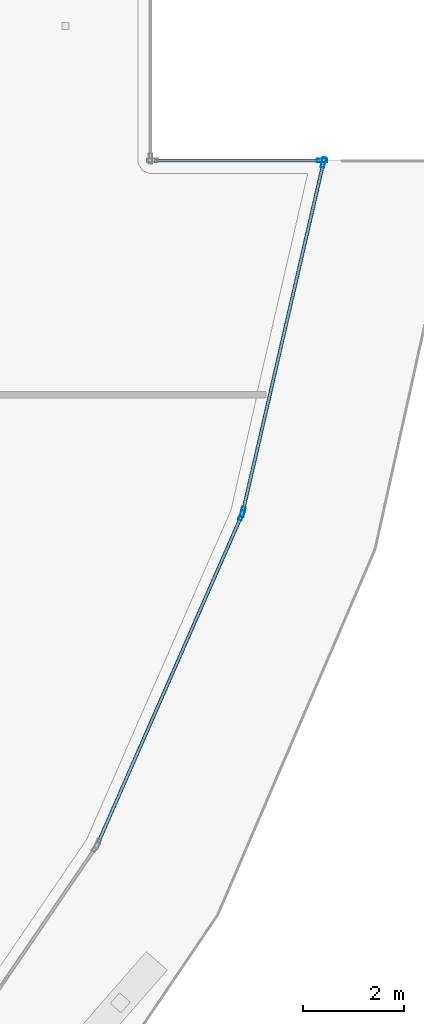
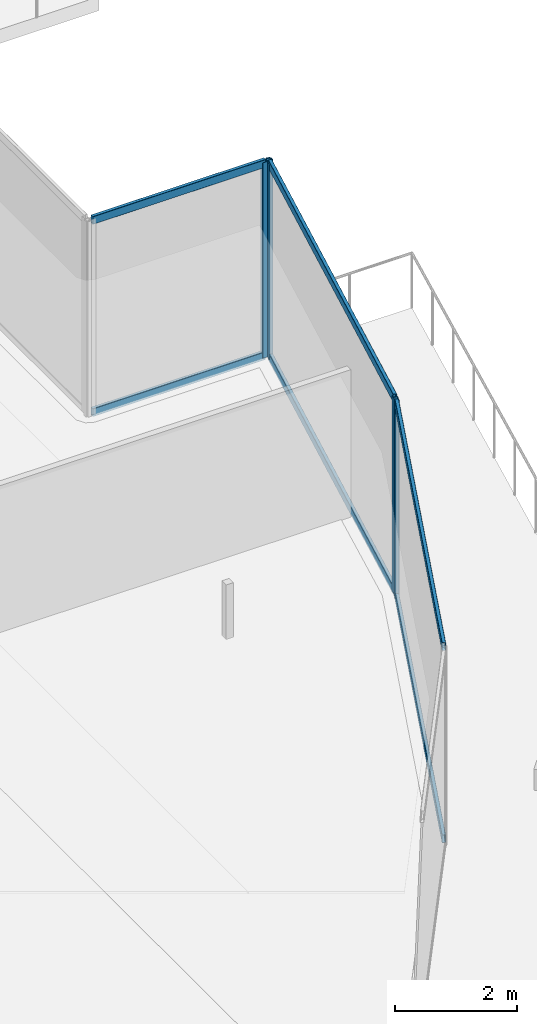
# One storey, part 27 of 47: 10 members, 3 elements without a shape of their own.
"""IFC4 building model written with IfcOpenShell, lengths in metres."""

from ifc_helpers import new_model, si_unit, direction, frame, origin, origin_2d, place, context, subcontext, project, spatial, hollow_rectangle, extrude, material, layer, layer_set, material_profile, profile_set, type_object, element, aggregate, save


model = new_model("IFC4")

# Units and contexts
model_context = context("Model", 3, precision=1e-05, world=origin(), true_north=direction((0.0, 1.0)))
body_context = subcontext(model_context, "Body", "Model", "MODEL_VIEW")
ifc_project = project(units=[si_unit("LENGTHUNIT", "METRE"), si_unit("AREAUNIT", "SQUARE_METRE"), si_unit("VOLUMEUNIT", "CUBIC_METRE"), si_unit("PLANEANGLEUNIT", "RADIAN"), si_unit("MASSUNIT", "GRAM", prefix="KILO")], contexts=[model_context])

# Site, building, storey
site_placement = place(None, origin())
site = spatial("IfcSite", under=ifc_project, at=site_placement, CompositionType="ELEMENT")
building_placement = place(site_placement, origin())
building = spatial("IfcBuilding", under=site, at=building_placement, Name="Qorvath Tower", CompositionType="ELEMENT")
storey_placement = place(building_placement, frame((0.0, 0.0, 82.800048828125)))
storey = spatial("IfcBuildingStorey", under=building, at=storey_placement, Name="L18", CompositionType="ELEMENT", Elevation=82.800048828125)

# Curtain wall, member
ifc_material_1 = material(Name="Anodised aluminium and triple low-E glass", Category="aluminium")
ifc_layer = layer(ifc_material_1, 0.179931640625)
ifc_layer_set = layer_set([ifc_layer], Name="CW-SYS-5")
curtain_wall_type = type_object("IfcCurtainWallType", Name="CW-SYS-5", PredefinedType="NOTDEFINED", material=ifc_layer_set)
curtain_wall_1_placement = place(storey_placement, origin())
curtain_wall_1 = element("IfcCurtainWall", 1, at=curtain_wall_1_placement, inside=storey, type_object=curtain_wall_type, Name="Curtain Wall CW-5 CW-T-L18-10.1", PredefinedType="NOTDEFINED")
ifc_material_2 = material(Name="Anodised aluminium 6063-T6", Category="aluminium")
ifc_material_profile_1 = material_profile(ifc_material_2, hollow_rectangle(XDim=0.074951171875, YDim=0.199951171875, WallThickness=0.00390625, InnerFilletRadius=0.00390625, OuterFilletRadius=0.008056640625, at=origin_2d()), Name="CWM 200x75")
ifc_profile_set_1 = profile_set([ifc_material_profile_1], Name="Anodised aluminium 6063-T6")
member_type_1 = type_object("IfcMemberType", Name="CWM-200", PredefinedType="MULLION", material=ifc_profile_set_1)
member_1_placement = place(storey_placement, frame((4.234375, -12.15771484375, 0.0), z_axis=(0.0, 0.0, 1.0), x_axis=(-0.915885530927, 0.401439527499, 0.0)))
member_1 = element("IfcMember", 2, at=member_1_placement, type_object=member_type_1, Name="CW-5 mullion 2", PredefinedType="MULLION", context=body_context, shape_type="SweptSolid", body=[
    extrude(hollow_rectangle(XDim=0.074951171875, YDim=0.199951171875, WallThickness=0.00390625, InnerFilletRadius=0.00390625, OuterFilletRadius=0.008056640625, at=origin_2d()), origin(), (0.0, 0.0, 1.0), 3.919921875),
])

# Curtain wall, members
curtain_wall_2_placement = place(storey_placement, origin())
curtain_wall_2 = element("IfcCurtainWall", 3, at=curtain_wall_2_placement, inside=storey, type_object=curtain_wall_type, Name="Curtain Wall CW-5 CW-T-L18-11.1", PredefinedType="NOTDEFINED")
member_2_placement = place(storey_placement, frame((4.258056640625, -12.086669921875, 0.0), z_axis=(0.0, 0.0, 1.0), x_axis=(-0.974376611716, 0.22492269459, 0.0)))
member_2 = element("IfcMember", 4, at=member_2_placement, type_object=member_type_1, Name="CW-5 mullion 1", PredefinedType="MULLION", context=body_context, shape_type="SweptSolid", body=[
    extrude(hollow_rectangle(XDim=0.074951171875, YDim=0.199951171875, WallThickness=0.00390625, InnerFilletRadius=0.00390625, OuterFilletRadius=0.008056640625, at=origin_2d()), origin(), (0.0, 0.0, 1.0), 3.919921875),
])
member_3_placement = place(storey_placement, frame((5.852783203125, -5.177490234375, 0.0), z_axis=(0.0, 0.0, 1.0), x_axis=(-0.974376611716, 0.22492269459, 0.0)))
member_3 = element("IfcMember", 5, at=member_3_placement, type_object=member_type_1, Name="CW-5 mullion 2", PredefinedType="MULLION", context=body_context, shape_type="SweptSolid", body=[
    extrude(hollow_rectangle(XDim=0.074951171875, YDim=0.199951171875, WallThickness=0.00390625, InnerFilletRadius=0.00390625, OuterFilletRadius=0.008056640625, at=origin_2d()), origin(), (0.0, 0.0, 1.0), 3.919921875),
])

# Curtain wall, member
curtain_wall_3_placement = place(storey_placement, origin())
curtain_wall_3 = element("IfcCurtainWall", 6, at=curtain_wall_3_placement, inside=storey, type_object=curtain_wall_type, Name="Curtain Wall CW-5 CW-T-L18-12.1", PredefinedType="NOTDEFINED")
member_4_placement = place(storey_placement, frame((5.82373046875, -5.140869140625, 0.0), z_axis=(0.0, 0.0, 1.0), x_axis=(0.0, -1.0, 0.0)))
member_4 = element("IfcMember", 7, at=member_4_placement, type_object=member_type_1, Name="CW-5 mullion 1", PredefinedType="MULLION", context=body_context, shape_type="SweptSolid", body=[
    extrude(hollow_rectangle(XDim=0.074951171875, YDim=0.199951171875, WallThickness=0.00390625, InnerFilletRadius=0.00390625, OuterFilletRadius=0.008056640625, at=origin_2d()), origin(), (0.0, 0.0, 1.0), 3.919921875),
])

# Member
ifc_material_3 = material(Name="Anodised aluminium 6063-T6", Category="aluminium")
ifc_material_profile_2 = material_profile(ifc_material_3, hollow_rectangle(XDim=0.06494140625, YDim=0.159912109375, WallThickness=0.00341796875, InnerFilletRadius=0.00341796875, OuterFilletRadius=0.007080078125, at=origin_2d()), Name="CWT 160x65")
ifc_profile_set_2 = profile_set([ifc_material_profile_2], Name="Anodised aluminium 6063-T6")
member_type_2 = type_object("IfcMemberType", Name="CWT-160", PredefinedType="USERDEFINED", material=ifc_profile_set_2)
member_5_placement = place(storey_placement, frame((1.40283203125, -18.617919921875, 0.032470703125), z_axis=(0.401448500939, 0.915881597748, 0.0), x_axis=(-0.915881597748, 0.401448500939, 0.0)))
member_5 = element("IfcMember", 8, at=member_5_placement, type_object=member_type_2, Name="CW-5 transom 1.1", ObjectType="TRANSOM", PredefinedType="USERDEFINED", context=body_context, shape_type="SweptSolid", body=[
    extrude(hollow_rectangle(XDim=0.06494140625, YDim=0.159912109375, WallThickness=0.00341796875, InnerFilletRadius=0.00341796875, OuterFilletRadius=0.007080078125, at=origin_2d()), origin(), (0.0, 0.0, 1.0), 7.01611328125),
])

member_6_placement = place(storey_placement, frame((1.40283203125, -18.617919921875, 3.887451171875), z_axis=(0.401448500939, 0.915881597748, 0.0), x_axis=(-0.915881597748, 0.401448500939, 0.0)))
member_6 = element("IfcMember", 9, at=member_6_placement, type_object=member_type_2, Name="CW-5 transom 1.2", ObjectType="TRANSOM", PredefinedType="USERDEFINED", context=body_context, shape_type="SweptSolid", body=[
    extrude(hollow_rectangle(XDim=0.06494140625, YDim=0.159912109375, WallThickness=0.00341796875, InnerFilletRadius=0.00341796875, OuterFilletRadius=0.007080078125, at=origin_2d()), origin(), (0.0, 0.0, 1.0), 7.01611328125),
])

aggregate(curtain_wall_1, [member_1, member_5, member_6])

member_7_placement = place(storey_placement, frame((4.266357421875, -12.05029296875, 0.032470703125), z_axis=(0.22492558073, 0.974375945482, 0.0), x_axis=(-0.974375945482, 0.22492558073, 0.0)))
member_7 = element("IfcMember", 10, at=member_7_placement, type_object=member_type_2, Name="CW-5 transom 1.1", ObjectType="TRANSOM", PredefinedType="USERDEFINED", context=body_context, shape_type="SweptSolid", body=[
    extrude(hollow_rectangle(XDim=0.06494140625, YDim=0.159912109375, WallThickness=0.00341796875, InnerFilletRadius=0.00341796875, OuterFilletRadius=0.007080078125, at=origin_2d()), origin(), (0.0, 0.0, 1.0), 7.01611328125),
])

member_8_placement = place(storey_placement, frame((4.266357421875, -12.05029296875, 3.887451171875), z_axis=(0.22492558073, 0.974375945482, 0.0), x_axis=(-0.974375945482, 0.22492558073, 0.0)))
member_8 = element("IfcMember", 11, at=member_8_placement, type_object=member_type_2, Name="CW-5 transom 1.2", ObjectType="TRANSOM", PredefinedType="USERDEFINED", context=body_context, shape_type="SweptSolid", body=[
    extrude(hollow_rectangle(XDim=0.06494140625, YDim=0.159912109375, WallThickness=0.00341796875, InnerFilletRadius=0.00341796875, OuterFilletRadius=0.007080078125, at=origin_2d()), origin(), (0.0, 0.0, 1.0), 7.01611328125),
])

aggregate(curtain_wall_2, [member_2, member_3, member_7, member_8])

member_9_placement = place(storey_placement, frame((5.786376953125, -5.140869140625, 0.032470703125), z_axis=(-1.0, 0.0, 0.0), x_axis=(0.0, -1.0, 0.0)))
member_9 = element("IfcMember", 12, at=member_9_placement, type_object=member_type_2, Name="CW-5 transom 1.1", ObjectType="TRANSOM", PredefinedType="USERDEFINED", context=body_context, shape_type="SweptSolid", body=[
    extrude(hollow_rectangle(XDim=0.06494140625, YDim=0.159912109375, WallThickness=0.00341796875, InnerFilletRadius=0.00341796875, OuterFilletRadius=0.007080078125, at=origin_2d()), origin(), (0.0, 0.0, 1.0), 3.27734375),
])

member_10_placement = place(storey_placement, frame((5.786376953125, -5.140869140625, 3.887451171875), z_axis=(-1.0, 0.0, 0.0), x_axis=(0.0, -1.0, 0.0)))
member_10 = element("IfcMember", 13, at=member_10_placement, type_object=member_type_2, Name="CW-5 transom 1.2", ObjectType="TRANSOM", PredefinedType="USERDEFINED", context=body_context, shape_type="SweptSolid", body=[
    extrude(hollow_rectangle(XDim=0.06494140625, YDim=0.159912109375, WallThickness=0.00341796875, InnerFilletRadius=0.00341796875, OuterFilletRadius=0.007080078125, at=origin_2d()), origin(), (0.0, 0.0, 1.0), 3.27734375),
])

aggregate(curtain_wall_3, [member_4, member_9, member_10])

save(model, "model.ifc")
